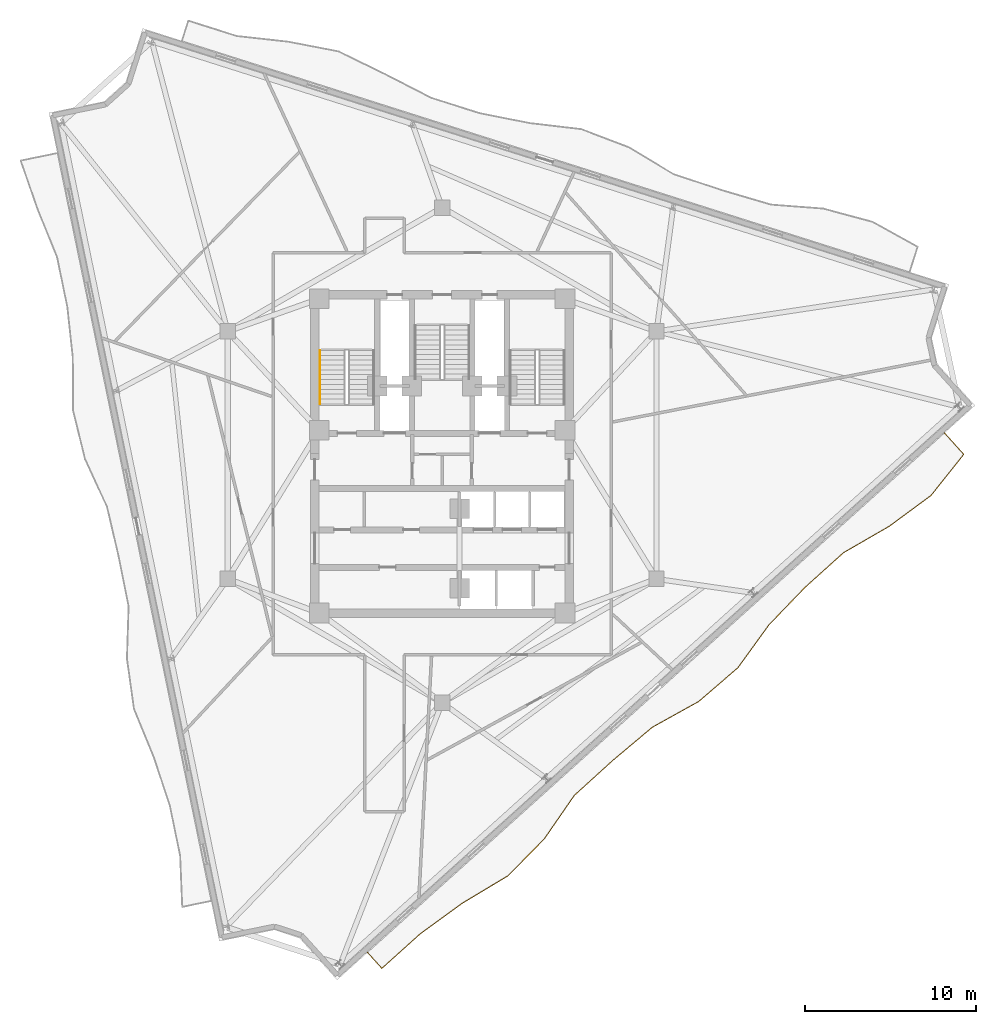
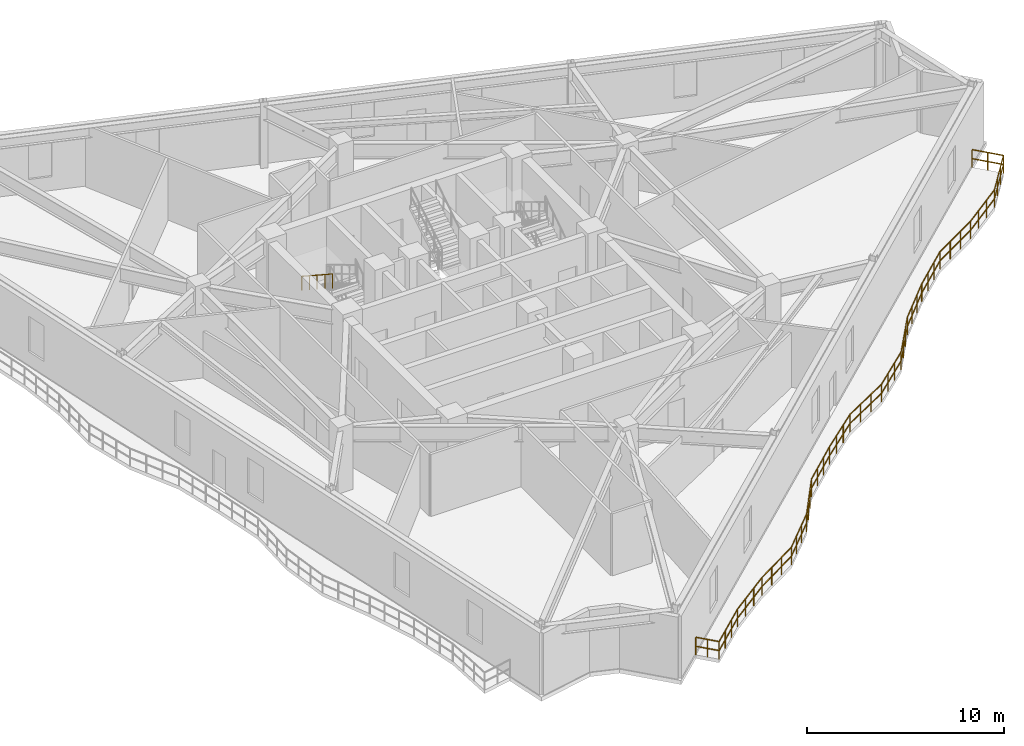
# One storey, part 10 of 12: 2 railings.
"""IFC4 building model written with IfcOpenShell, lengths in metres."""

from ifc_helpers import new_model, si_unit, direction, frame, origin, origin_2d, place, context, subcontext, project, spatial, rectangle, extrude, material, type_object, element, save


model = new_model("IFC4")

# Units and contexts
model_context = context("Model", 3, precision=1e-05, world=origin(), true_north=direction((0.0, 1.0)))
body_context = subcontext(model_context, "Body", "Model", "MODEL_VIEW")
ifc_project = project(units=[si_unit("LENGTHUNIT", "METRE"), si_unit("AREAUNIT", "SQUARE_METRE"), si_unit("VOLUMEUNIT", "CUBIC_METRE"), si_unit("PLANEANGLEUNIT", "RADIAN"), si_unit("MASSUNIT", "GRAM", prefix="KILO")], contexts=[model_context])

# Site, building, storey
site_placement = place(None, origin())
site = spatial("IfcSite", under=ifc_project, at=site_placement, CompositionType="ELEMENT")
building_placement = place(site_placement, origin())
building = spatial("IfcBuilding", under=site, at=building_placement, Name="Apsidion Concourse Tower", CompositionType="ELEMENT")
storey_placement = place(building_placement, frame((0.0, 0.0, 248.60009765625)))
storey = spatial("IfcBuildingStorey", under=building, at=storey_placement, Name="L58", CompositionType="ELEMENT", Elevation=248.60009765625)

# Railings
ifc_material = material(Name="Brushed stainless steel 316", Category="steel")
railing_type_1 = type_object("IfcRailingType", Name="RL-BAL-1120", PredefinedType="BALUSTRADE", material=ifc_material)
railing_1_placement = place(storey_placement, frame((29.43359375, 1.295166015625, 0.0)))
element("IfcRailing", 1, at=railing_1_placement, inside=storey, type_object=railing_type_1, Name="L58 Face 2 Rippling Balcony Balustrade", PredefinedType="BALUSTRADE", context=body_context, shape_type="SweptSolid", body=[
    extrude(rectangle(XDim=0.048095703125, YDim=0.048095703125, at=origin_2d()), frame((0.0, 0.0, 1.09619140625), z_axis=(0.669044926922, -0.743221962647, 0.0), x_axis=(0.743221962647, 0.669044926922, 0.0)), (0.0, 0.0, 1.0), 1.681884765625),
    extrude(rectangle(XDim=0.048095703125, YDim=0.048095703125, at=origin_2d()), frame((0.0, 0.0, 0.5361328125), z_axis=(0.669044926922, -0.743221962647, 0.0), x_axis=(0.743221962647, 0.669044926922, 0.0)), (0.0, 0.0, 1.0), 1.681884765625),
    extrude(rectangle(XDim=0.048095703125, YDim=0.048095703125, at=origin_2d()), frame((1.125244140625, -1.25, 1.09619140625), z_axis=(-0.622328980808, -0.782755798219, 0.0), x_axis=(0.782755798219, -0.622328980808, 0.0)), (0.0, 0.0, 1.0), 3.073974609375),
    extrude(rectangle(XDim=0.048095703125, YDim=0.048095703125, at=origin_2d()), frame((1.125244140625, -1.25, 0.5361328125), z_axis=(-0.622328980808, -0.782755798219, 0.0), x_axis=(0.782755798219, -0.622328980808, 0.0)), (0.0, 0.0, 1.0), 3.073974609375),
    extrude(rectangle(XDim=0.048095703125, YDim=0.048095703125, at=origin_2d()), frame((-0.787841796875, -3.65625, 1.09619140625), z_axis=(-0.804791903357, -0.593557067426, 0.0), x_axis=(0.593557067426, -0.804791903357, 0.0)), (0.0, 0.0, 1.0), 3.046630859375),
    extrude(rectangle(XDim=0.048095703125, YDim=0.048095703125, at=origin_2d()), frame((-0.787841796875, -3.65625, 0.5361328125), z_axis=(-0.804791903357, -0.593557067426, 0.0), x_axis=(0.593557067426, -0.804791903357, 0.0)), (0.0, 0.0, 1.0), 3.046630859375),
    extrude(rectangle(XDim=0.048095703125, YDim=0.048095703125, at=origin_2d()), frame((-3.23974609375, -5.464599609375, 1.09619140625), z_axis=(-0.865828675658, -0.500340588408, 0.0), x_axis=(0.500340588408, -0.865828675658, 0.0)), (0.0, 0.0, 1.0), 3.099365234375),
    extrude(rectangle(XDim=0.048095703125, YDim=0.048095703125, at=origin_2d()), frame((-3.23974609375, -5.464599609375, 0.5361328125), z_axis=(-0.865828675658, -0.500340588408, 0.0), x_axis=(0.500340588408, -0.865828675658, 0.0)), (0.0, 0.0, 1.0), 3.099365234375),
    extrude(rectangle(XDim=0.048095703125, YDim=0.048095703125, at=origin_2d()), frame((-5.92333984375, -7.015380859375, 1.09619140625), z_axis=(-0.743137975508, -0.669138213942, 0.0), x_axis=(0.669138213942, -0.743137975508, 0.0)), (0.0, 0.0, 1.0), 3.031982421875),
    extrude(rectangle(XDim=0.048095703125, YDim=0.048095703125, at=origin_2d()), frame((-5.92333984375, -7.015380859375, 0.5361328125), z_axis=(-0.743137975508, -0.669138213942, 0.0), x_axis=(0.669138213942, -0.743137975508, 0.0)), (0.0, 0.0, 1.0), 3.031982421875),
    extrude(rectangle(XDim=0.048095703125, YDim=0.048095703125, at=origin_2d()), frame((-8.176513671875, -9.044189453125, 1.09619140625), z_axis=(-0.693116741516, -0.720825348216, 0.0), x_axis=(0.720825348216, -0.693116741516, 0.0)), (0.0, 0.0, 1.0), 3.039794921875),
    extrude(rectangle(XDim=0.048095703125, YDim=0.048095703125, at=origin_2d()), frame((-8.176513671875, -9.044189453125, 0.5361328125), z_axis=(-0.693116741516, -0.720825348216, 0.0), x_axis=(0.720825348216, -0.693116741516, 0.0)), (0.0, 0.0, 1.0), 3.039794921875),
    extrude(rectangle(XDim=0.048095703125, YDim=0.048095703125, at=origin_2d()), frame((-10.283447265625, -11.2353515625, 1.09619140625), z_axis=(-0.586372673027, -0.810041411489, 0.0), x_axis=(0.810041411489, -0.586372673027, 0.0)), (0.0, 0.0, 1.0), 3.10107421875),
    extrude(rectangle(XDim=0.048095703125, YDim=0.048095703125, at=origin_2d()), frame((-10.283447265625, -11.2353515625, 0.5361328125), z_axis=(-0.586372673027, -0.810041411489, 0.0), x_axis=(0.810041411489, -0.586372673027, 0.0)), (0.0, 0.0, 1.0), 3.10107421875),
    extrude(rectangle(XDim=0.048095703125, YDim=0.048095703125, at=origin_2d()), frame((-12.101806640625, -13.747314453125, 1.09619140625), z_axis=(-0.757309733395, -0.653055868747, 0.0), x_axis=(0.653055868747, -0.757309733395, 0.0)), (0.0, 0.0, 1.0), 3.03271484375),
    extrude(rectangle(XDim=0.048095703125, YDim=0.048095703125, at=origin_2d()), frame((-12.101806640625, -13.747314453125, 0.5361328125), z_axis=(-0.757309733395, -0.653055868747, 0.0), x_axis=(0.653055868747, -0.757309733395, 0.0)), (0.0, 0.0, 1.0), 3.03271484375),
    extrude(rectangle(XDim=0.048095703125, YDim=0.048095703125, at=origin_2d()), frame((-14.3984375, -15.727783203125, 1.09619140625), z_axis=(-0.874394042219, -0.485216507276, 0.0), x_axis=(0.485216507276, -0.874394042219, 0.0)), (0.0, 0.0, 1.0), 3.111572265625),
    extrude(rectangle(XDim=0.048095703125, YDim=0.048095703125, at=origin_2d()), frame((-14.3984375, -15.727783203125, 0.5361328125), z_axis=(-0.874394042219, -0.485216507276, 0.0), x_axis=(0.485216507276, -0.874394042219, 0.0)), (0.0, 0.0, 1.0), 3.111572265625),
    extrude(rectangle(XDim=0.048095703125, YDim=0.048095703125, at=origin_2d()), frame((-17.119140625, -17.237548828125, 1.09619140625), z_axis=(-0.765841194348, -0.643029754397, 0.0), x_axis=(0.643029754397, -0.765841194348, 0.0)), (0.0, 0.0, 1.0), 3.03369140625),
    extrude(rectangle(XDim=0.048095703125, YDim=0.048095703125, at=origin_2d()), frame((-17.119140625, -17.237548828125, 0.5361328125), z_axis=(-0.765841194348, -0.643029754397, 0.0), x_axis=(0.643029754397, -0.765841194348, 0.0)), (0.0, 0.0, 1.0), 3.03369140625),
    extrude(rectangle(XDim=0.048095703125, YDim=0.048095703125, at=origin_2d()), frame((-19.4423828125, -19.188232421875, 1.09619140625), z_axis=(-0.740038435559, -0.672564579722, 0.0), x_axis=(0.672564579722, -0.740038435559, 0.0)), (0.0, 0.0, 1.0), 3.0322265625),
    extrude(rectangle(XDim=0.048095703125, YDim=0.048095703125, at=origin_2d()), frame((-19.4423828125, -19.188232421875, 0.5361328125), z_axis=(-0.740038435559, -0.672564579722, 0.0), x_axis=(0.672564579722, -0.740038435559, 0.0)), (0.0, 0.0, 1.0), 3.0322265625),
    extrude(rectangle(XDim=0.048095703125, YDim=0.048095703125, at=origin_2d()), frame((-21.686279296875, -21.2275390625, 1.09619140625), z_axis=(-0.567987366577, -0.823037272187, 0.0), x_axis=(0.823037272187, -0.567987366577, 0.0)), (0.0, 0.0, 1.0), 3.11669921875),
    extrude(rectangle(XDim=0.048095703125, YDim=0.048095703125, at=origin_2d()), frame((-21.686279296875, -21.2275390625, 0.5361328125), z_axis=(-0.567987366577, -0.823037272187, 0.0), x_axis=(0.823037272187, -0.567987366577, 0.0)), (0.0, 0.0, 1.0), 3.11669921875),
    extrude(rectangle(XDim=0.048095703125, YDim=0.048095703125, at=origin_2d()), frame((-23.45654296875, -23.792724609375, 1.09619140625), z_axis=(-0.703641621214, -0.710555042833, 0.0), x_axis=(0.710555042833, -0.703641621214, 0.0)), (0.0, 0.0, 1.0), 3.037109375),
    extrude(rectangle(XDim=0.048095703125, YDim=0.048095703125, at=origin_2d()), frame((-23.45654296875, -23.792724609375, 0.5361328125), z_axis=(-0.703641621214, -0.710555042833, 0.0), x_axis=(0.710555042833, -0.703641621214, 0.0)), (0.0, 0.0, 1.0), 3.037109375),
    extrude(rectangle(XDim=0.048095703125, YDim=0.048095703125, at=origin_2d()), frame((-25.593505859375, -25.95068359375, 1.09619140625), z_axis=(-0.857806538385, -0.513972706186, 0.0), x_axis=(0.513972706186, -0.857806538385, 0.0)), (0.0, 0.0, 1.0), 3.08935546875),
    extrude(rectangle(XDim=0.048095703125, YDim=0.048095703125, at=origin_2d()), frame((-25.593505859375, -25.95068359375, 0.5361328125), z_axis=(-0.857806538385, -0.513972706186, 0.0), x_axis=(0.513972706186, -0.857806538385, 0.0)), (0.0, 0.0, 1.0), 3.08935546875),
    extrude(rectangle(XDim=0.048095703125, YDim=0.048095703125, at=origin_2d()), frame((-28.24365234375, -27.53857421875, 1.09619140625), z_axis=(-0.808566351104, -0.588405010059, 0.0), x_axis=(0.588405010059, -0.808566351104, 0.0)), (0.0, 0.0, 1.0), 3.04833984375),
    extrude(rectangle(XDim=0.048095703125, YDim=0.048095703125, at=origin_2d()), frame((-28.24365234375, -27.53857421875, 0.5361328125), z_axis=(-0.808566351104, -0.588405010059, 0.0), x_axis=(0.588405010059, -0.808566351104, 0.0)), (0.0, 0.0, 1.0), 3.04833984375),
    extrude(rectangle(XDim=0.048095703125, YDim=0.048095703125, at=origin_2d()), frame((-30.70849609375, -29.332275390625, 1.09619140625), z_axis=(-0.743137975508, -0.669138213942, 0.0), x_axis=(0.669138213942, -0.743137975508, 0.0)), (0.0, 0.0, 1.0), 3.031982421875),
    extrude(rectangle(XDim=0.048095703125, YDim=0.048095703125, at=origin_2d()), frame((-30.70849609375, -29.332275390625, 0.5361328125), z_axis=(-0.743137975508, -0.669138213942, 0.0), x_axis=(0.669138213942, -0.743137975508, 0.0)), (0.0, 0.0, 1.0), 3.031982421875),
    extrude(rectangle(XDim=0.048095703125, YDim=0.048095703125, at=origin_2d()), frame((-32.961669921875, -31.361083984375, 1.09619140625), z_axis=(-0.669126573551, 0.743148456614, 0.0), x_axis=(-0.743148456614, -0.669126573551, 0.0)), (0.0, 0.0, 1.0), 1.25),
    extrude(rectangle(XDim=0.048095703125, YDim=0.048095703125, at=origin_2d()), frame((-32.961669921875, -31.361083984375, 0.5361328125), z_axis=(-0.669126573551, 0.743148456614, 0.0), x_axis=(-0.743148456614, -0.669126573551, 0.0)), (0.0, 0.0, 1.0), 1.25),
    extrude(rectangle(XDim=0.0419921875, YDim=0.0419921875, at=origin_2d()), origin(), (0.0, 0.0, 1.0), 1.072021484375),
    extrude(rectangle(XDim=0.0419921875, YDim=0.0419921875, at=origin_2d()), frame((0.5625, -0.625, 0.0)), (0.0, 0.0, 1.0), 1.072021484375),
    extrude(rectangle(XDim=0.0419921875, YDim=0.0419921875, at=origin_2d()), frame((1.125244140625, -1.25, 0.0)), (0.0, 0.0, 1.0), 1.072021484375),
    extrude(rectangle(XDim=0.0419921875, YDim=0.0419921875, at=origin_2d()), frame((0.487548828125, -2.052001953125, 0.0)), (0.0, 0.0, 1.0), 1.072021484375),
    extrude(rectangle(XDim=0.0419921875, YDim=0.0419921875, at=origin_2d()), frame((-0.150146484375, -2.854248046875, 0.0)), (0.0, 0.0, 1.0), 1.072021484375),
    extrude(rectangle(XDim=0.0419921875, YDim=0.0419921875, at=origin_2d()), frame((-0.787841796875, -3.65625, 0.0)), (0.0, 0.0, 1.0), 1.072021484375),
    extrude(rectangle(XDim=0.0419921875, YDim=0.0419921875, at=origin_2d()), frame((-1.605224609375, -4.259033203125, 0.0)), (0.0, 0.0, 1.0), 1.072021484375),
    extrude(rectangle(XDim=0.0419921875, YDim=0.0419921875, at=origin_2d()), frame((-2.42236328125, -4.86181640625, 0.0)), (0.0, 0.0, 1.0), 1.072021484375),
    extrude(rectangle(XDim=0.0419921875, YDim=0.0419921875, at=origin_2d()), frame((-3.23974609375, -5.464599609375, 0.0)), (0.0, 0.0, 1.0), 1.072021484375),
    extrude(rectangle(XDim=0.0419921875, YDim=0.0419921875, at=origin_2d()), frame((-4.13427734375, -5.9814453125, 0.0)), (0.0, 0.0, 1.0), 1.072021484375),
    extrude(rectangle(XDim=0.0419921875, YDim=0.0419921875, at=origin_2d()), frame((-5.02880859375, -6.49853515625, 0.0)), (0.0, 0.0, 1.0), 1.072021484375),
    extrude(rectangle(XDim=0.0419921875, YDim=0.0419921875, at=origin_2d()), frame((-5.92333984375, -7.015380859375, 0.0)), (0.0, 0.0, 1.0), 1.072021484375),
    extrude(rectangle(XDim=0.0419921875, YDim=0.0419921875, at=origin_2d()), frame((-6.67431640625, -7.691650390625, 0.0)), (0.0, 0.0, 1.0), 1.072021484375),
    extrude(rectangle(XDim=0.0419921875, YDim=0.0419921875, at=origin_2d()), frame((-7.425537109375, -8.367919921875, 0.0)), (0.0, 0.0, 1.0), 1.072021484375),
    extrude(rectangle(XDim=0.0419921875, YDim=0.0419921875, at=origin_2d()), frame((-8.176513671875, -9.044189453125, 0.0)), (0.0, 0.0, 1.0), 1.072021484375),
    extrude(rectangle(XDim=0.0419921875, YDim=0.0419921875, at=origin_2d()), frame((-8.87890625, -9.774658203125, 0.0)), (0.0, 0.0, 1.0), 1.072021484375),
    extrude(rectangle(XDim=0.0419921875, YDim=0.0419921875, at=origin_2d()), frame((-9.5810546875, -10.5048828125, 0.0)), (0.0, 0.0, 1.0), 1.072021484375),
    extrude(rectangle(XDim=0.0419921875, YDim=0.0419921875, at=origin_2d()), frame((-10.283447265625, -11.2353515625, 0.0)), (0.0, 0.0, 1.0), 1.072021484375),
    extrude(rectangle(XDim=0.0419921875, YDim=0.0419921875, at=origin_2d()), frame((-10.8896484375, -12.07275390625, 0.0)), (0.0, 0.0, 1.0), 1.072021484375),
    extrude(rectangle(XDim=0.0419921875, YDim=0.0419921875, at=origin_2d()), frame((-11.49560546875, -12.909912109375, 0.0)), (0.0, 0.0, 1.0), 1.072021484375),
    extrude(rectangle(XDim=0.0419921875, YDim=0.0419921875, at=origin_2d()), frame((-12.101806640625, -13.747314453125, 0.0)), (0.0, 0.0, 1.0), 1.072021484375),
    extrude(rectangle(XDim=0.0419921875, YDim=0.0419921875, at=origin_2d()), frame((-12.867431640625, -14.407470703125, 0.0)), (0.0, 0.0, 1.0), 1.072021484375),
    extrude(rectangle(XDim=0.0419921875, YDim=0.0419921875, at=origin_2d()), frame((-13.6328125, -15.067626953125, 0.0)), (0.0, 0.0, 1.0), 1.072021484375),
    extrude(rectangle(XDim=0.0419921875, YDim=0.0419921875, at=origin_2d()), frame((-14.3984375, -15.727783203125, 0.0)), (0.0, 0.0, 1.0), 1.072021484375),
    extrude(rectangle(XDim=0.0419921875, YDim=0.0419921875, at=origin_2d()), frame((-15.305419921875, -16.23095703125, 0.0)), (0.0, 0.0, 1.0), 1.072021484375),
    extrude(rectangle(XDim=0.0419921875, YDim=0.0419921875, at=origin_2d()), frame((-16.212158203125, -16.734375, 0.0)), (0.0, 0.0, 1.0), 1.072021484375),
    extrude(rectangle(XDim=0.0419921875, YDim=0.0419921875, at=origin_2d()), frame((-17.119140625, -17.237548828125, 0.0)), (0.0, 0.0, 1.0), 1.072021484375),
    extrude(rectangle(XDim=0.0419921875, YDim=0.0419921875, at=origin_2d()), frame((-17.8935546875, -17.8876953125, 0.0)), (0.0, 0.0, 1.0), 1.072021484375),
    extrude(rectangle(XDim=0.0419921875, YDim=0.0419921875, at=origin_2d()), frame((-18.66796875, -18.5380859375, 0.0)), (0.0, 0.0, 1.0), 1.072021484375),
    extrude(rectangle(XDim=0.0419921875, YDim=0.0419921875, at=origin_2d()), frame((-19.4423828125, -19.188232421875, 0.0)), (0.0, 0.0, 1.0), 1.072021484375),
    extrude(rectangle(XDim=0.0419921875, YDim=0.0419921875, at=origin_2d()), frame((-20.1904296875, -19.867919921875, 0.0)), (0.0, 0.0, 1.0), 1.072021484375),
    extrude(rectangle(XDim=0.0419921875, YDim=0.0419921875, at=origin_2d()), frame((-20.938232421875, -20.5478515625, 0.0)), (0.0, 0.0, 1.0), 1.072021484375),
    extrude(rectangle(XDim=0.0419921875, YDim=0.0419921875, at=origin_2d()), frame((-21.686279296875, -21.2275390625, 0.0)), (0.0, 0.0, 1.0), 1.072021484375),
    extrude(rectangle(XDim=0.0419921875, YDim=0.0419921875, at=origin_2d()), frame((-22.2763671875, -22.08251953125, 0.0)), (0.0, 0.0, 1.0), 1.072021484375),
    extrude(rectangle(XDim=0.0419921875, YDim=0.0419921875, at=origin_2d()), frame((-22.866455078125, -22.937744140625, 0.0)), (0.0, 0.0, 1.0), 1.072021484375),
    extrude(rectangle(XDim=0.0419921875, YDim=0.0419921875, at=origin_2d()), frame((-23.45654296875, -23.792724609375, 0.0)), (0.0, 0.0, 1.0), 1.072021484375),
    extrude(rectangle(XDim=0.0419921875, YDim=0.0419921875, at=origin_2d()), frame((-24.1689453125, -24.511962890625, 0.0)), (0.0, 0.0, 1.0), 1.072021484375),
    extrude(rectangle(XDim=0.0419921875, YDim=0.0419921875, at=origin_2d()), frame((-24.881103515625, -25.2314453125, 0.0)), (0.0, 0.0, 1.0), 1.072021484375),
    extrude(rectangle(XDim=0.0419921875, YDim=0.0419921875, at=origin_2d()), frame((-25.593505859375, -25.95068359375, 0.0)), (0.0, 0.0, 1.0), 1.072021484375),
    extrude(rectangle(XDim=0.0419921875, YDim=0.0419921875, at=origin_2d()), frame((-26.476806640625, -26.47998046875, 0.0)), (0.0, 0.0, 1.0), 1.072021484375),
    extrude(rectangle(XDim=0.0419921875, YDim=0.0419921875, at=origin_2d()), frame((-27.3603515625, -27.00927734375, 0.0)), (0.0, 0.0, 1.0), 1.072021484375),
    extrude(rectangle(XDim=0.0419921875, YDim=0.0419921875, at=origin_2d()), frame((-28.24365234375, -27.53857421875, 0.0)), (0.0, 0.0, 1.0), 1.072021484375),
    extrude(rectangle(XDim=0.0419921875, YDim=0.0419921875, at=origin_2d()), frame((-29.065185546875, -28.136474609375, 0.0)), (0.0, 0.0, 1.0), 1.072021484375),
    extrude(rectangle(XDim=0.0419921875, YDim=0.0419921875, at=origin_2d()), frame((-29.886962890625, -28.734375, 0.0)), (0.0, 0.0, 1.0), 1.072021484375),
    extrude(rectangle(XDim=0.0419921875, YDim=0.0419921875, at=origin_2d()), frame((-30.70849609375, -29.332275390625, 0.0)), (0.0, 0.0, 1.0), 1.072021484375),
    extrude(rectangle(XDim=0.0419921875, YDim=0.0419921875, at=origin_2d()), frame((-31.45947265625, -30.008544921875, 0.0)), (0.0, 0.0, 1.0), 1.072021484375),
    extrude(rectangle(XDim=0.0419921875, YDim=0.0419921875, at=origin_2d()), frame((-32.210693359375, -30.684814453125, 0.0)), (0.0, 0.0, 1.0), 1.072021484375),
    extrude(rectangle(XDim=0.0419921875, YDim=0.0419921875, at=origin_2d()), frame((-32.961669921875, -31.361083984375, 0.0)), (0.0, 0.0, 1.0), 1.072021484375),
    extrude(rectangle(XDim=0.0419921875, YDim=0.0419921875, at=origin_2d()), frame((-33.3798828125, -30.896484375, 0.0)), (0.0, 0.0, 1.0), 1.072021484375),
    extrude(rectangle(XDim=0.0419921875, YDim=0.0419921875, at=origin_2d()), frame((-33.798095703125, -30.43212890625, 0.0)), (0.0, 0.0, 1.0), 1.072021484375),
])
railing_type_2 = type_object("IfcRailingType", Name="RL-HAND-900", PredefinedType="HANDRAIL", material=ifc_material)
railing_2_placement = place(storey_placement, frame((-7.14990234375, 6.135009765625, 2.220703125)))
element("IfcRailing", 2, at=railing_2_placement, inside=storey, type_object=railing_type_2, Name="L58 ST1 stair handrail 2", PredefinedType="HANDRAIL", context=body_context, shape_type="SweptSolid", body=[
    extrude(rectangle(XDim=0.048095703125, YDim=0.048095703125, at=origin_2d()), frame((0.0, 0.0, 0.8759765625), z_axis=(0.0, -0.836940907821, 0.547293263996), x_axis=(1.0, 0.0, 0.0)), (0.0, 0.0, 1.0), 3.745849609375),
    extrude(rectangle(XDim=0.0419921875, YDim=0.0419921875, at=origin_2d()), origin(), (0.0, 0.0, 1.0), 0.851806640625),
    extrude(rectangle(XDim=0.0419921875, YDim=0.0419921875, at=origin_2d()), frame((0.0, -0.78369140625, 0.512451171875)), (0.0, 0.0, 1.0), 0.851806640625),
    extrude(rectangle(XDim=0.0419921875, YDim=0.0419921875, at=origin_2d()), frame((0.0, -1.5673828125, 1.02490234375)), (0.0, 0.0, 1.0), 0.851806640625),
    extrude(rectangle(XDim=0.0419921875, YDim=0.0419921875, at=origin_2d()), frame((0.0, -2.351318359375, 1.53759765625)), (0.0, 0.0, 1.0), 0.851806640625),
    extrude(rectangle(XDim=0.0419921875, YDim=0.0419921875, at=origin_2d()), frame((0.0, -3.135009765625, 2.050048828125)), (0.0, 0.0, 1.0), 0.851806640625),
])

save(model, "model.ifc")
